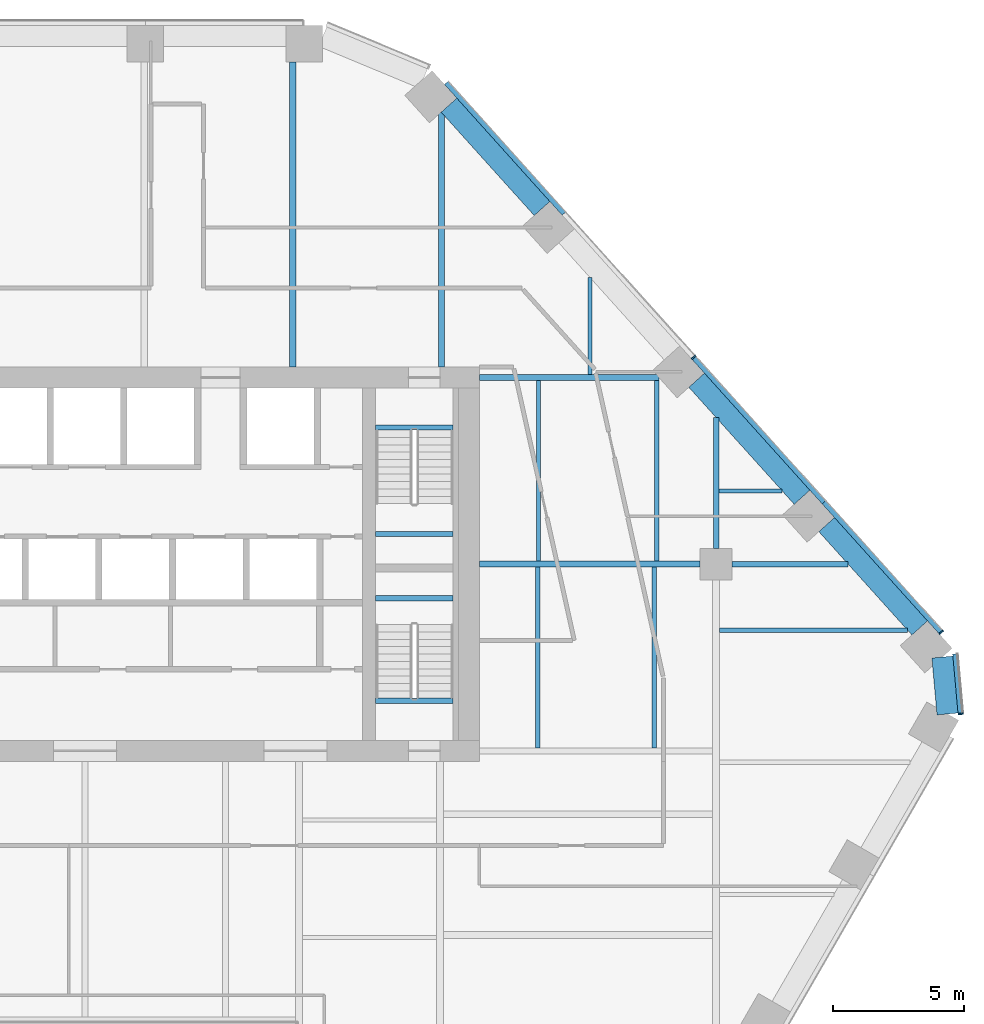
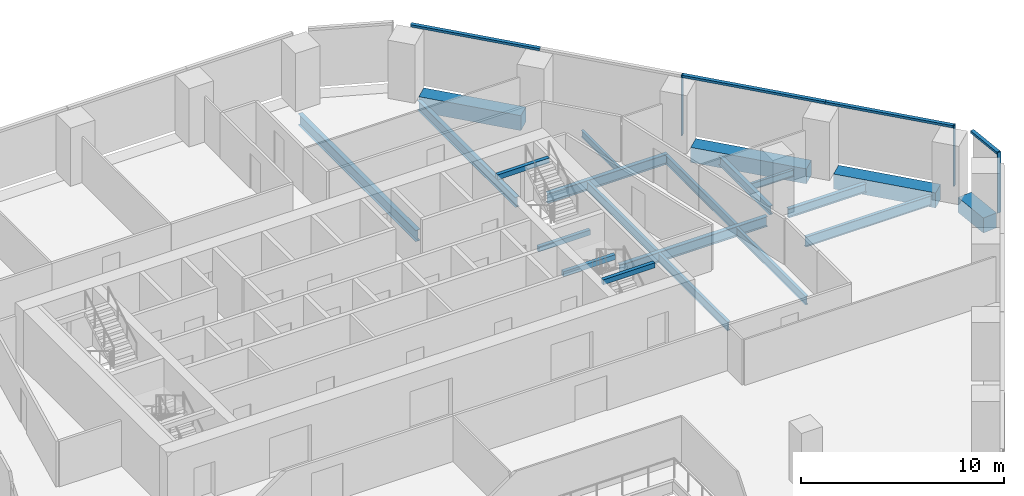
# One storey, part 8 of 16: 21 beams, 7 members, 2 elements without a shape of their own.
"""IFC4 building model written with IfcOpenShell, lengths in metres."""

from ifc_helpers import new_model, si_unit, direction, frame, origin, origin_2d, place, context, subcontext, project, spatial, rectangle, i_section, extrude, material, layer, layer_set, material_profile, profile_set, type_object, element, aggregate, save


model = new_model("IFC4")

# Units and contexts
model_context = context("Model", 3, precision=1e-05, world=origin(), true_north=direction((0.0, 1.0)))
body_context = subcontext(model_context, "Body", "Model", "MODEL_VIEW")
ifc_project = project(units=[si_unit("LENGTHUNIT", "METRE"), si_unit("AREAUNIT", "SQUARE_METRE"), si_unit("VOLUMEUNIT", "CUBIC_METRE"), si_unit("PLANEANGLEUNIT", "RADIAN"), si_unit("MASSUNIT", "GRAM", prefix="KILO")], contexts=[model_context])

# Site, building, storey
site_placement = place(None, origin())
site = spatial("IfcSite", under=ifc_project, at=site_placement, CompositionType="ELEMENT")
building_placement = place(site_placement, origin())
building = spatial("IfcBuilding", under=site, at=building_placement, Name="Isthmus Gate Tower", CompositionType="ELEMENT")
storey_placement = place(building_placement, frame((0.0, 0.0, 140.75)))
storey = spatial("IfcBuildingStorey", under=building, at=storey_placement, Name="L34", CompositionType="ELEMENT", Elevation=140.75)

# Curtain wall, member
ifc_material_1 = material(Name="Aluminium, pale champagne anodised", Category="aluminium")
ifc_layer = layer(ifc_material_1, 0.199951171875)
ifc_layer_set = layer_set([ifc_layer], Name="CW-1 UNITISED CURTAIN WALL 200 DEEP")
curtain_wall_type = type_object("IfcCurtainWallType", Name="CW-1 UNITISED CURTAIN WALL 200 DEEP", PredefinedType="NOTDEFINED", material=ifc_layer_set)
curtain_wall_1_placement = place(storey_placement, origin())
curtain_wall_1 = element("IfcCurtainWall", 1, at=curtain_wall_1_placement, inside=storey, type_object=curtain_wall_type, Name="CW-1 SE-NE L34", PredefinedType="NOTDEFINED")
ifc_material_2 = material(Name="Aluminium, pale champagne anodised", Category="aluminium")
ifc_material_profile_1 = material_profile(ifc_material_2, rectangle(XDim=0.06005859375, YDim=0.199951171875, at=origin_2d()), Name="60x200")
ifc_profile_set_1 = profile_set([ifc_material_profile_1], Name="Aluminium, pale champagne anodised")
member_type_1 = type_object("IfcMemberType", Name="CW-1 MULLION 60 X 200", PredefinedType="MULLION", material=ifc_profile_set_1)
member_1_placement = place(storey_placement, frame((33.307861328125, 1.804443359375, 0.0), z_axis=(0.0, 0.0, 1.0), x_axis=(-0.089396669717, 0.995996102123, 0.0)))
member_1 = element("IfcMember", 2, at=member_1_placement, type_object=member_type_1, Name="CW-1 mullion", PredefinedType="MULLION", context=body_context, shape_type="SweptSolid", body=[
    extrude(rectangle(XDim=0.06005859375, YDim=0.199951171875, at=origin_2d()), origin(), (0.0, 0.0, 1.0), 3.64990234375),
])

# Curtain wall, members
curtain_wall_2_placement = place(storey_placement, origin())
curtain_wall_2 = element("IfcCurtainWall", 3, at=curtain_wall_2_placement, inside=storey, type_object=curtain_wall_type, Name="CW-1 NE L34", PredefinedType="NOTDEFINED")
member_2_placement = place(storey_placement, frame((32.5693359375, 4.908447265625, 0.0), z_axis=(0.0, 0.0, 1.0), x_axis=(-0.669130606359, 0.743144825477, 0.0)))
member_2 = element("IfcMember", 4, at=member_2_placement, type_object=member_type_1, Name="CW-1 mullion", PredefinedType="MULLION", context=body_context, shape_type="SweptSolid", body=[
    extrude(rectangle(XDim=0.06005859375, YDim=0.199951171875, at=origin_2d()), origin(), (0.0, 0.0, 1.0), 3.64990234375),
])
member_3_placement = place(storey_placement, frame((23.14697265625, 15.373046875, 0.0), z_axis=(0.0, 0.0, 1.0), x_axis=(-0.669130606359, 0.743144825477, 0.0)))
member_3 = element("IfcMember", 5, at=member_3_placement, type_object=member_type_1, Name="CW-1 mullion", PredefinedType="MULLION", context=body_context, shape_type="SweptSolid", body=[
    extrude(rectangle(XDim=0.06005859375, YDim=0.199951171875, at=origin_2d()), origin(), (0.0, 0.0, 1.0), 3.64990234375),
])

# Member
ifc_material_3 = material(Name="Aluminium, pale champagne anodised", Category="aluminium")
ifc_material_profile_2 = material_profile(ifc_material_3, rectangle(XDim=0.199951171875, YDim=0.139892578125, at=origin_2d()), Name="200x140")
ifc_profile_set_2 = profile_set([ifc_material_profile_2], Name="Aluminium, pale champagne anodised")
member_type_2 = type_object("IfcMemberType", Name="CW-1 TRANSOM 200 X 140", PredefinedType="USERDEFINED", material=ifc_profile_set_2)
member_4_placement = place(storey_placement, frame((33.30517578125, 1.83447265625, 3.580078125), z_axis=(-0.089395362867, 0.995996219419, 0.0), x_axis=(-0.995996219419, -0.089395362867, 0.0)))
member_4 = element("IfcMember", 6, at=member_4_placement, type_object=member_type_2, Name="CW-1 transom", ObjectType="TRANSOM", PredefinedType="USERDEFINED", context=body_context, shape_type="SweptSolid", body=[
    extrude(rectangle(XDim=0.199951171875, YDim=0.139892578125, at=origin_2d()), origin(), (0.0, 0.0, 1.0), 2.258544921875),
])

aggregate(curtain_wall_1, [member_1, member_4])

member_5_placement = place(storey_placement, frame((32.54931640625, 4.930908203125, 3.580078125), z_axis=(-0.669153891975, 0.743123858354, 0.0), x_axis=(-0.743123858354, -0.669153891975, 0.0)))
member_5 = element("IfcMember", 7, at=member_5_placement, type_object=member_type_2, Name="CW-1 transom", ObjectType="TRANSOM", PredefinedType="USERDEFINED", context=body_context, shape_type="SweptSolid", body=[
    extrude(rectangle(XDim=0.199951171875, YDim=0.139892578125, at=origin_2d()), origin(), (0.0, 0.0, 1.0), 6.630859375),
])

member_6_placement = place(storey_placement, frame((28.1123046875, 9.8583984375, 3.580078125), z_axis=(-0.669123495435, 0.74315122812, 0.0), x_axis=(-0.74315122812, -0.669123495435, 0.0)))
member_6 = element("IfcMember", 8, at=member_6_placement, type_object=member_type_2, Name="CW-1 transom", ObjectType="TRANSOM", PredefinedType="USERDEFINED", context=body_context, shape_type="SweptSolid", body=[
    extrude(rectangle(XDim=0.199951171875, YDim=0.139892578125, at=origin_2d()), origin(), (0.0, 0.0, 1.0), 7.390625),
])

member_7_placement = place(storey_placement, frame((18.221435546875, 20.84326171875, 3.580078125), z_axis=(-0.669117935274, 0.743156234378, 0.0), x_axis=(-0.743156234378, -0.669117935274, 0.0)))
member_7 = element("IfcMember", 9, at=member_7_placement, type_object=member_type_2, Name="CW-1 transom", ObjectType="TRANSOM", PredefinedType="USERDEFINED", context=body_context, shape_type="SweptSolid", body=[
    extrude(rectangle(XDim=0.199951171875, YDim=0.139892578125, at=origin_2d()), origin(), (0.0, 0.0, 1.0), 6.690673828125),
])

aggregate(curtain_wall_2, [member_2, member_5, member_6, member_3, member_7])

# Beams
ifc_material_4 = material(Name="Concrete f'c 60 MPa", Category="concrete")
ifc_material_profile_3 = material_profile(ifc_material_4, rectangle(XDim=0.800048828125, YDim=0.89990234375, at=origin_2d()), Name="RC 800X900")
ifc_profile_set_3 = profile_set([ifc_material_profile_3], Name="Concrete f'c 60 MPa")
beam_type_1 = type_object("IfcBeamType", Name="RC SPANDREL 800 X 900", PredefinedType="SPANDREL", material=ifc_profile_set_3)
beam_1_placement = place(storey_placement, frame((13.84130859375, 24.960693359375, -0.449951171875), z_axis=(0.669153370522, -0.743124327901, 0.0), x_axis=(0.743124327901, 0.669153370522, 0.0)))
element("IfcBeam", 10, at=beam_1_placement, inside=storey, type_object=beam_type_1, Name="str-spandrel-L34-01", PredefinedType="SPANDREL", context=body_context, shape_type="SweptSolid", body=[
    extrude(rectangle(XDim=0.800048828125, YDim=0.89990234375, at=origin_2d()), origin(), (0.0, 0.0, 1.0), 5.290771484375),
])
beam_2_placement = place(storey_placement, frame((23.263671875, 14.49609375, -0.449951171875), z_axis=(0.669156088603, -0.74312188037, 0.0), x_axis=(0.74312188037, 0.669156088603, 0.0)))
element("IfcBeam", 11, at=beam_2_placement, inside=storey, type_object=beam_type_1, Name="str-spandrel-L34-03", PredefinedType="SPANDREL", context=body_context, shape_type="SweptSolid", body=[
    extrude(rectangle(XDim=0.800048828125, YDim=0.89990234375, at=origin_2d()), origin(), (0.0, 0.0, 1.0), 5.99072265625),
])
beam_3_placement = place(storey_placement, frame((28.209228515625, 9.003662109375, -0.449951171875), z_axis=(0.669130424574, -0.743144989157, 0.0), x_axis=(0.743144989157, 0.669130424574, 0.0)))
element("IfcBeam", 12, at=beam_3_placement, inside=storey, type_object=beam_type_1, Name="str-spandrel-L34-04", PredefinedType="SPANDREL", context=body_context, shape_type="SweptSolid", body=[
    extrude(rectangle(XDim=0.800048828125, YDim=0.89990234375, at=origin_2d()), origin(), (0.0, 0.0, 1.0), 5.290771484375),
])
beam_4_placement = place(storey_placement, frame((32.61181640625, 3.964599609375, -0.449951171875), z_axis=(0.089421511639, -0.995993872098, 0.0), x_axis=(0.995993872098, 0.089421511639, 0.0)))
element("IfcBeam", 13, at=beam_4_placement, inside=storey, type_object=beam_type_1, Name="str-spandrel-L34-05", PredefinedType="SPANDREL", context=body_context, shape_type="SweptSolid", body=[
    extrude(rectangle(XDim=0.800048828125, YDim=0.89990234375, at=origin_2d()), origin(), (0.0, 0.0, 1.0), 2.17333984375),
])
ifc_material_5 = material(Name="Concrete f'c 40 MPa", Category="concrete")
ifc_material_profile_4 = material_profile(ifc_material_5, rectangle(XDim=0.199951171875, YDim=0.300048828125, at=origin_2d()), Name="STAIR LANDING BEAM RC 200 X 300")
ifc_profile_set_4 = profile_set([ifc_material_profile_4], Name="Concrete f'c 40 MPa")
beam_type_2 = type_object("IfcBeamType", Name="STAIR LANDING BEAM RC 200 X 300", PredefinedType="BEAM", material=ifc_profile_set_4)
for number, where, z_axis, x_axis, name in (
    (14, (11.050048828125, 8.64990234375, 1.47509765625), (1.0, 0.0, 0.0), (0.0, 1.0, 0.0), "L34 ST2 landing beam 1"),
    (15, (11.050048828125, 12.7001953125, 3.35009765625), (1.0, 0.0, 0.0), (0.0, 1.0, 0.0), "L34 ST2 floor-edge seat beam"),
    (16, (11.050048828125, 6.199951171875, 1.47509765625), (1.0, 0.0, 0.0), (0.0, 1.0, 0.0), "L34 ST8 landing beam 1"),
    (17, (11.050048828125, 2.2998046875, 3.35009765625), (1.0, 0.0, 0.0), (0.0, 1.0, 0.0), "L34 ST8 floor-edge seat beam"),
):
    element("IfcBeam", number, at=place(storey_placement, frame(where, z_axis=z_axis, x_axis=x_axis)), inside=storey, type_object=beam_type_2, Name=name, PredefinedType="BEAM", context=body_context, shape_type="SweptSolid", body=[
        extrude(rectangle(XDim=0.199951171875, YDim=0.300048828125, at=origin_2d()), origin(), (0.0, 0.0, 1.0), 2.949951171875),
    ])
ifc_material_6 = material(Name="Structural steel ASTM A992 Gr 50", Category="steel")
ifc_material_profile_5 = material_profile(ifc_material_6, i_section(OverallWidth=0.1396484375, OverallDepth=0.4033203125, WebThickness=0.00634765625, FlangeThickness=0.010986328125, at=origin_2d()), Name="W16X31")
ifc_profile_set_5 = profile_set([ifc_material_profile_5], Name="Structural steel ASTM A992 Gr 50")
beam_type_3 = type_object("IfcBeamType", Name="STEEL FLOOR BEAM W16X31", PredefinedType="JOIST", material=ifc_profile_set_5)
beam_5_placement = place(storey_placement, frame((19.204345703125, 14.71435546875, -0.3515625), z_axis=(0.0, 1.0, 0.0), x_axis=(-1.0, 0.0, 0.0)))
element("IfcBeam", 18, at=beam_5_placement, inside=storey, type_object=beam_type_3, Name="str-beam-L34-05-07", PredefinedType="JOIST", context=body_context, shape_type="SweptSolid", body=[
    extrude(i_section(OverallWidth=0.1396484375, OverallDepth=0.4033203125, WebThickness=0.00634765625, FlangeThickness=0.010986328125, at=origin_2d()), origin(), (0.0, 0.0, 1.0), 3.6923828125),
])
beam_6_placement = place(storey_placement, frame((24.104736328125, 10.284423828125, -0.3515625), z_axis=(1.0, 0.0, 0.0), x_axis=(0.0, 1.0, 0.0)))
element("IfcBeam", 19, at=beam_6_placement, inside=storey, type_object=beam_type_3, Name="str-beam-L34-15-00", PredefinedType="JOIST", context=body_context, shape_type="SweptSolid", body=[
    extrude(i_section(OverallWidth=0.1396484375, OverallDepth=0.4033203125, WebThickness=0.00634765625, FlangeThickness=0.010986328125, at=origin_2d()), origin(), (0.0, 0.0, 1.0), 2.412841796875),
])
ifc_material_7 = material(Name="Structural steel ASTM A992 Gr 50", Category="steel")
ifc_material_profile_6 = material_profile(ifc_material_7, i_section(OverallWidth=0.1650390625, OverallDepth=0.52392578125, WebThickness=0.009521484375, FlangeThickness=0.010986328125, at=origin_2d()), Name="W21X44")
ifc_profile_set_6 = profile_set([ifc_material_profile_6], Name="Structural steel ASTM A992 Gr 50")
beam_type_4 = type_object("IfcBeamType", Name="STEEL FLOOR BEAM W21X44", PredefinedType="JOIST", material=ifc_profile_set_6)
for number, where, z_axis, x_axis, name in (
    (20, (17.25, 7.6142578125, -0.411865234375), (0.0, 1.0, 0.0), (-1.0, 0.0, 0.0), "str-beam-L34-13-00"),
    (21, (21.75, 7.6142578125, -0.411865234375), (0.0, 1.0, 0.0), (-1.0, 0.0, 0.0), "str-beam-L34-13-01"),
    (22, (17.216552734375, 0.514404296875, -0.411865234375), (0.0, 1.0, 0.0), (-1.0, 0.0, 0.0), "str-beam-L34-14-00"),
    (23, (21.64990234375, 0.514404296875, -0.411865234375), (0.0, 1.0, 0.0), (-1.0, 0.0, 0.0), "str-beam-L34-14-01"),
):
    element("IfcBeam", number, at=place(storey_placement, frame(where, z_axis=z_axis, x_axis=x_axis)), inside=storey, type_object=beam_type_4, Name=name, PredefinedType="JOIST", context=body_context, shape_type="SweptSolid", body=[
        extrude(i_section(OverallWidth=0.1650390625, OverallDepth=0.52392578125, WebThickness=0.009521484375, FlangeThickness=0.010986328125, at=origin_2d()), origin(), (0.0, 0.0, 1.0), 6.871337890625),
    ])
ifc_material_8 = material(Name="Structural steel ASTM A992 Gr 50", Category="steel")
ifc_material_profile_7 = material_profile(ifc_material_8, i_section(OverallWidth=0.177734375, OverallDepth=0.60009765625, WebThickness=0.009521484375, FlangeThickness=0.0126953125, at=origin_2d()), Name="W24X55")
ifc_profile_set_7 = profile_set([ifc_material_profile_7], Name="Structural steel ASTM A992 Gr 50")
beam_type_5 = type_object("IfcBeamType", Name="STEEL FLOOR BEAM W24X55", PredefinedType="JOIST", material=ifc_profile_set_7)
beam_7_placement = place(storey_placement, frame((24.13330078125, 4.987548828125, -0.449951171875), z_axis=(1.0, 0.0, 0.0), x_axis=(0.0, 1.0, 0.0)))
element("IfcBeam", 24, at=beam_7_placement, inside=storey, type_object=beam_type_5, Name="str-beam-L34-16-02", PredefinedType="JOIST", context=body_context, shape_type="SweptSolid", body=[
    extrude(i_section(OverallWidth=0.177734375, OverallDepth=0.60009765625, WebThickness=0.009521484375, FlangeThickness=0.0126953125, at=origin_2d()), origin(), (0.0, 0.0, 1.0), 7.15380859375),
])
ifc_material_9 = material(Name="Structural steel ASTM A992 Gr 50", Category="steel")
ifc_material_profile_8 = material_profile(ifc_material_9, i_section(OverallWidth=0.228515625, OverallDepth=0.603271484375, WebThickness=0.010986328125, FlangeThickness=0.014404296875, at=origin_2d()), Name="W24X68")
ifc_profile_set_8 = profile_set([ifc_material_profile_8], Name="Structural steel ASTM A992 Gr 50")
beam_type_6 = type_object("IfcBeamType", Name="STEEL FLOOR BEAM W24X68", PredefinedType="JOIST", material=ifc_profile_set_8)
beam_8_placement = place(storey_placement, frame((13.5537109375, 15.0, -0.45166015625), z_axis=(0.0, 1.0, 0.0), x_axis=(-1.0, 0.0, 0.0)))
element("IfcBeam", 25, at=beam_8_placement, inside=storey, type_object=beam_type_6, Name="str-beam-L34-05-06", PredefinedType="JOIST", context=body_context, shape_type="SweptSolid", body=[
    extrude(i_section(OverallWidth=0.228515625, OverallDepth=0.603271484375, WebThickness=0.010986328125, FlangeThickness=0.014404296875, at=origin_2d()), origin(), (0.0, 0.0, 1.0), 9.682373046875),
])
ifc_material_10 = material(Name="Structural steel ASTM A992 Gr 50", Category="steel")
ifc_material_profile_9 = material_profile(ifc_material_10, i_section(OverallWidth=0.25390625, OverallDepth=0.679443359375, WebThickness=0.010986328125, FlangeThickness=0.015869140625, at=origin_2d()), Name="W27X84")
ifc_profile_set_9 = profile_set([ifc_material_profile_9], Name="Structural steel ASTM A992 Gr 50")
beam_type_7 = type_object("IfcBeamType", Name="STEEL FLOOR BEAM W27X84", PredefinedType="JOIST", material=ifc_profile_set_9)
beam_9_placement = place(storey_placement, frame((7.903076171875, 15.0, -0.48974609375), z_axis=(0.0, 1.0, 0.0), x_axis=(-1.0, 0.0, 0.0)))
element("IfcBeam", 26, at=beam_9_placement, inside=storey, type_object=beam_type_7, Name="str-beam-L34-05-05", PredefinedType="JOIST", context=body_context, shape_type="SweptSolid", body=[
    extrude(i_section(OverallWidth=0.25390625, OverallDepth=0.679443359375, WebThickness=0.010986328125, FlangeThickness=0.015869140625, at=origin_2d()), origin(), (0.0, 0.0, 1.0), 11.60009765625),
])
ifc_material_11 = material(Name="Structural steel ASTM A992 Gr 50", Category="steel")
ifc_material_profile_10 = material_profile(ifc_material_11, i_section(OverallWidth=0.20947265625, OverallDepth=0.533447265625, WebThickness=0.009521484375, FlangeThickness=0.015869140625, at=origin_2d()), Name="W21X62")
ifc_profile_set_10 = profile_set([ifc_material_profile_10], Name="Structural steel ASTM A992 Gr 50")
beam_type_8 = type_object("IfcBeamType", Name="STEEL GIRDER W21X62", PredefinedType="BEAM", material=ifc_profile_set_10)
beam_10_placement = place(storey_placement, frame((24.60009765625, 7.5, -0.416748046875), z_axis=(1.0, 0.0, 0.0), x_axis=(0.0, 1.0, 0.0)))
element("IfcBeam", 27, at=beam_10_placement, inside=storey, type_object=beam_type_8, Name="str-girder-L34-06", PredefinedType="BEAM", context=body_context, shape_type="SweptSolid", body=[
    extrude(i_section(OverallWidth=0.20947265625, OverallDepth=0.533447265625, WebThickness=0.009521484375, FlangeThickness=0.015869140625, at=origin_2d()), origin(), (0.0, 0.0, 1.0), 4.4248046875),
])
beam_11_placement = place(storey_placement, frame((24.0, 8.10009765625, -0.416748046875), z_axis=(0.0, 1.0, 0.0), x_axis=(-1.0, 0.0, 0.0)))
element("IfcBeam", 28, at=beam_11_placement, inside=storey, type_object=beam_type_8, Name="str-girder-L34-12", PredefinedType="BEAM", context=body_context, shape_type="SweptSolid", body=[
    extrude(i_section(OverallWidth=0.20947265625, OverallDepth=0.533447265625, WebThickness=0.009521484375, FlangeThickness=0.015869140625, at=origin_2d()), origin(), (0.0, 0.0, 1.0), 4.98046875),
])
ifc_material_12 = material(Name="Structural steel ASTM A992 Gr 50", Category="steel")
ifc_material_profile_11 = material_profile(ifc_material_12, i_section(OverallWidth=0.228515625, OverallDepth=0.603271484375, WebThickness=0.010986328125, FlangeThickness=0.014404296875, at=origin_2d()), Name="W24X68")
ifc_profile_set_11 = profile_set([ifc_material_profile_11], Name="Structural steel ASTM A992 Gr 50")
beam_type_9 = type_object("IfcBeamType", Name="STEEL GIRDER W24X68", PredefinedType="BEAM", material=ifc_profile_set_11)
beam_12_placement = place(storey_placement, frame((15.0, 14.60009765625, -0.45166015625), z_axis=(1.0, 0.0, 0.0), x_axis=(0.0, 1.0, 0.0)))
element("IfcBeam", 29, at=beam_12_placement, inside=storey, type_object=beam_type_9, Name="str-girder-L34-16", PredefinedType="BEAM", context=body_context, shape_type="SweptSolid", body=[
    extrude(i_section(OverallWidth=0.228515625, OverallDepth=0.603271484375, WebThickness=0.010986328125, FlangeThickness=0.014404296875, at=origin_2d()), origin(), (0.0, 0.0, 1.0), 6.824462890625),
])
ifc_material_13 = material(Name="Structural steel ASTM A992 Gr 50", Category="steel")
ifc_material_profile_12 = material_profile(ifc_material_13, i_section(OverallWidth=0.228515625, OverallDepth=0.6064453125, WebThickness=0.010986328125, FlangeThickness=0.017578125, at=origin_2d()), Name="W24X76")
ifc_profile_set_12 = profile_set([ifc_material_profile_12], Name="Structural steel ASTM A992 Gr 50")
beam_type_10 = type_object("IfcBeamType", Name="STEEL GIRDER W24X76", PredefinedType="BEAM", material=ifc_profile_set_12)
beam_13_placement = place(storey_placement, frame((15.0, 7.5, -0.453125), z_axis=(1.0, 0.0, 0.0), x_axis=(0.0, 1.0, 0.0)))
element("IfcBeam", 30, at=beam_13_placement, inside=storey, type_object=beam_type_10, Name="str-girder-L34-05", PredefinedType="BEAM", context=body_context, shape_type="SweptSolid", body=[
    extrude(i_section(OverallWidth=0.228515625, OverallDepth=0.6064453125, WebThickness=0.010986328125, FlangeThickness=0.017578125, at=origin_2d()), origin(), (0.0, 0.0, 1.0), 8.39990234375),
])

save(model, "model.ifc")
